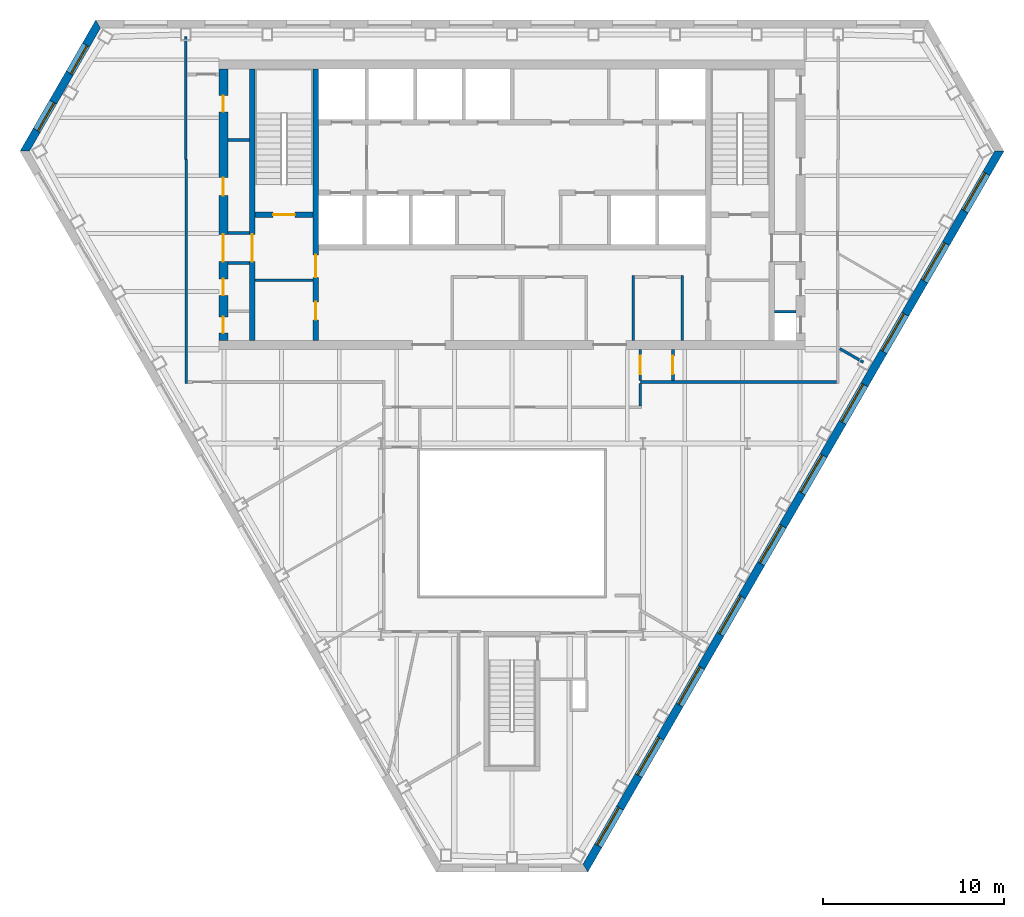
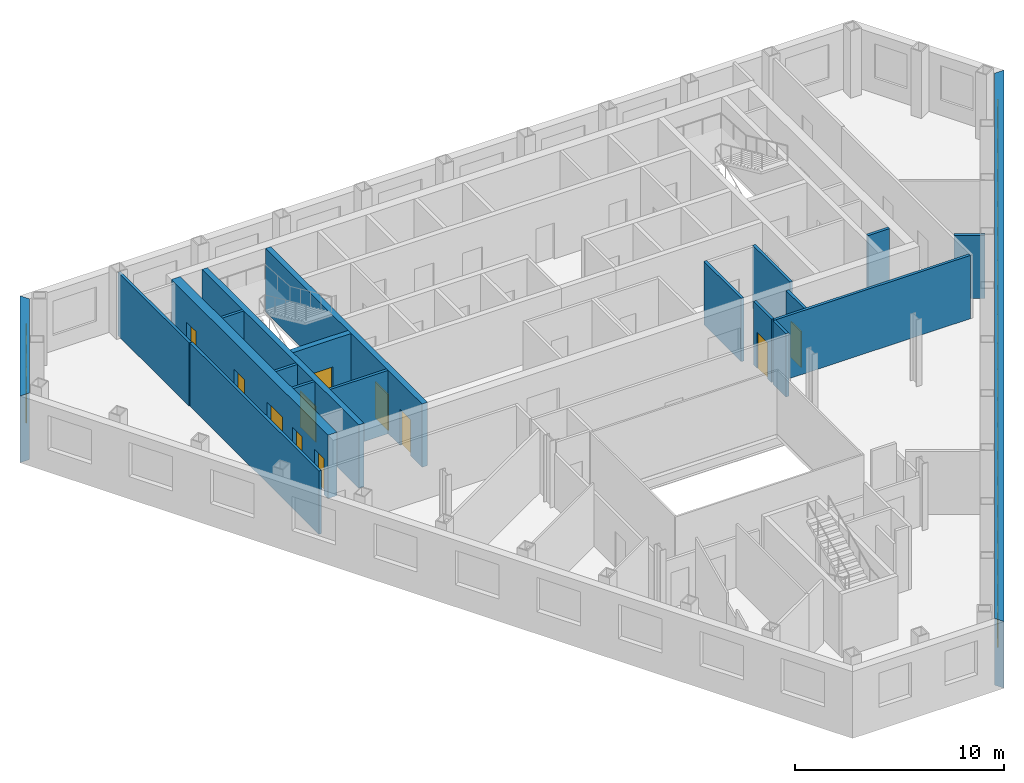
# One storey, part 5 of 10: 20 walls, 12 windows, 11 doors, 23 openings.
"""IFC4 building model written with IfcOpenShell, lengths in metres."""

from ifc_helpers import new_model, si_unit, direction, frame, frame_2d, origin, place, context, subcontext, project, spatial, polyline, rectangle, outline, extrude, material, layer, layer_set, type_object, element, fill, save


model = new_model("IFC4")

# Units and contexts
model_context = context("Model", 3, precision=1e-05, world=origin(), true_north=direction((0.0, 1.0)))
body_context = subcontext(model_context, "Body", "Model", "MODEL_VIEW")
ifc_project = project(units=[si_unit("LENGTHUNIT", "METRE"), si_unit("AREAUNIT", "SQUARE_METRE"), si_unit("VOLUMEUNIT", "CUBIC_METRE"), si_unit("PLANEANGLEUNIT", "RADIAN"), si_unit("MASSUNIT", "GRAM", prefix="KILO")], contexts=[model_context])

# Site, building, storey
site_placement = place(None, origin())
site = spatial("IfcSite", under=ifc_project, at=site_placement, CompositionType="ELEMENT")
building_placement = place(site_placement, origin())
building = spatial("IfcBuilding", under=site, at=building_placement, Name="Njiva Tower", CompositionType="ELEMENT")
storey_placement = place(building_placement, frame((0.0, 0.0, 167.1)))
storey = spatial("IfcBuildingStorey", under=building, at=storey_placement, Name="L36", CompositionType="ELEMENT", Elevation=167.1)

# Walls
ifc_material_1 = material(Name="Blockwork", Category="masonry")
ifc_layer_1 = layer(ifc_material_1, 0.15)
ifc_layer_set_1 = layer_set([ifc_layer_1], Name="Blockwork")
wall_type_1 = type_object("IfcWallType", Name="WT1 Compartment partition 150", PredefinedType="PARTITIONING", material=ifc_layer_set_1)
wall_1_placement = place(storey_placement, frame((-14.2, 5.825, 0.0), z_axis=(0.0, 0.0, 1.0), x_axis=(1.0, 0.0, 0.0)))
element("IfcWall", 1, at=wall_1_placement, inside=storey, type_object=wall_type_1, Name="Room wall A", PredefinedType="PARTITIONING", context=body_context, shape_type="SweptSolid", body=[
    extrude(rectangle(XDim=3.2, YDim=0.15, at=frame_2d((1.6, 0.0))), origin(), (0.0, 0.0, 1.0), 3.7),
])
for number, where, z_axis, x_axis, name in (
    (2, (6.7, 2.5, 0.0), (0.0, 0.0, 1.0), (0.0, 1.0, 0.0), "Security office wall west"),
    (3, (9.4, 2.5, 0.0), (0.0, 0.0, 1.0), (0.0, 1.0, 0.0), "Security office wall east"),
):
    element("IfcWall", number, at=place(storey_placement, frame(where, z_axis=z_axis, x_axis=x_axis)), inside=storey, type_object=wall_type_1, Name=name, PredefinedType="PARTITIONING", context=body_context, shape_type="SweptSolid", body=[
        extrude(rectangle(XDim=3.575, YDim=0.15, at=frame_2d((1.7875, 0.0))), origin(), (0.0, 0.0, 1.0), 3.7),
    ])

# Wall, openings, doors
ifc_material_2 = material(Name="Concrete C40/50", Category="concrete")
ifc_layer_2 = layer(ifc_material_2, 0.3)
ifc_layer_set_2 = layer_set([ifc_layer_2], Name="Concrete C40/50")
wall_type_2 = type_object("IfcWallType", Name="WT10 Stair enclosure wall 300", PredefinedType="SHEAR", material=ifc_layer_set_2)
wall_2_placement = place(storey_placement, frame((-10.85, 2.5, 0.0), z_axis=(0.0, 0.0, 1.0), x_axis=(0.0, 1.0, 0.0)))
wall_2 = element("IfcWall", 4, at=wall_2_placement, inside=storey, type_object=wall_type_2, Name="Stair wall west inner", PredefinedType="SHEAR", context=body_context, shape_type="SweptSolid", body=[
    extrude(rectangle(XDim=15.0, YDim=0.3, at=frame_2d((7.5, 0.0))), origin(), (0.0, 0.0, 1.0), 3.7),
])
opening_1_placement = place(wall_2_placement, frame((3.475, 0.0, 0.0)))
opening_1 = element("IfcOpeningElement", 5, at=opening_1_placement, cuts=wall_2, Name="Opening S12-D915", PredefinedType="OPENING", context=body_context, shape_type="SweptSolid", body=[
    extrude(rectangle(XDim=1.25, YDim=2.1, at=frame_2d((0.625, 1.05))), frame((0.0, 0.16, 0.0), z_axis=(0.0, -1.0, 0.0), x_axis=(1.0, 0.0, 0.0)), (0.0, 0.0, 1.0), 0.32),
])
opening_2_placement = place(wall_2_placement, frame((1.125, 0.0, 0.0)))
opening_2 = element("IfcOpeningElement", 6, at=opening_2_placement, cuts=wall_2, Name="Opening S12-D916", PredefinedType="OPENING", context=body_context, shape_type="SweptSolid", body=[
    extrude(rectangle(XDim=1.0, YDim=2.1, at=frame_2d((0.5, 1.05))), frame((0.0, 0.16, 0.0), z_axis=(0.0, -1.0, 0.0), x_axis=(1.0, 0.0, 0.0)), (0.0, 0.0, 1.0), 0.32),
])
ifc_material_3 = material(Name="Steel door, painted", Category="steel")
door_type_1 = type_object("IfcDoorType", Name="D5 Steel door 1000x2100", OperationType="SINGLE_SWING_LEFT", PredefinedType="DOOR", material=ifc_material_3)
door_1_placement = place(opening_2_placement, origin())
door_1 = element("IfcDoor", 7, at=door_1_placement, inside=storey, type_object=door_type_1, Name="Prayer room door", OperationType="SINGLE_SWING_RIGHT", OverallHeight=2.1, OverallWidth=1.0, PredefinedType="DOOR", context=body_context, shape_type="SweptSolid", body=[
    extrude(rectangle(XDim=1.0, YDim=2.1, at=frame_2d((0.5, 1.05))), frame((0.0, 0.025, 0.0), z_axis=(0.0, -1.0, 0.0), x_axis=(1.0, 0.0, 0.0)), (0.0, 0.0, 1.0), 0.05),
])
fill(opening_2, door_1)
ifc_material_4 = material(Name="Glazed steel fire door", Category="steel")
door_type_2 = type_object("IfcDoorType", Name="D8 Vestibule corridor door 1250x2100 glazed", OperationType="SINGLE_SWING_LEFT", PredefinedType="DOOR", material=ifc_material_4)
door_2_placement = place(opening_1_placement, origin())
door_2 = element("IfcDoor", 8, at=door_2_placement, inside=storey, type_object=door_type_2, Name="Stair vestibule corridor door", OperationType="SINGLE_SWING_LEFT", OverallHeight=2.1, OverallWidth=1.25, PredefinedType="DOOR", context=body_context, shape_type="SweptSolid", body=[
    extrude(rectangle(XDim=1.25, YDim=2.1, at=frame_2d((0.625, 1.05))), frame((0.0, 0.025, 0.0), z_axis=(0.0, -1.0, 0.0), x_axis=(1.0, 0.0, 0.0)), (0.0, 0.0, 1.0), 0.05),
])
fill(opening_1, door_2)

# Wall, opening, door
wall_3_placement = place(storey_placement, frame((-14.35, 2.5, 0.0), z_axis=(0.0, 0.0, 1.0), x_axis=(0.0, 1.0, 0.0)))
wall_3 = element("IfcWall", 9, at=wall_3_placement, inside=storey, type_object=wall_type_2, Name="Stair wall west outer", PredefinedType="SHEAR", context=body_context, shape_type="SweptSolid", body=[
    extrude(rectangle(XDim=15.0, YDim=0.3, at=frame_2d((7.5, 0.0))), origin(), (0.0, 0.0, 1.0), 3.7),
])
opening_3_placement = place(wall_3_placement, frame((4.35, 0.0, 0.0)))
opening_3 = element("IfcOpeningElement", 10, at=opening_3_placement, cuts=wall_3, Name="Opening S12-D921", PredefinedType="OPENING", context=body_context, shape_type="SweptSolid", body=[
    extrude(rectangle(XDim=1.5, YDim=2.1, at=frame_2d((0.75, 1.05))), frame((0.0, 0.16, 0.0), z_axis=(0.0, -1.0, 0.0), x_axis=(1.0, 0.0, 0.0)), (0.0, 0.0, 1.0), 0.32),
])
door_type_3 = type_object("IfcDoorType", Name="D10 Exit door double 1500x2100 glazed", OperationType="DOUBLE_DOOR_SINGLE_SWING", PredefinedType="DOOR", material=ifc_material_4)
door_3_placement = place(opening_3_placement, origin())
door_3 = element("IfcDoor", 11, at=door_3_placement, inside=storey, type_object=door_type_3, Name="Stair A passage door", OperationType="DOUBLE_DOOR_SINGLE_SWING", OverallHeight=2.1, OverallWidth=1.5, PredefinedType="DOOR", context=body_context, shape_type="SweptSolid", body=[
    extrude(rectangle(XDim=1.5, YDim=2.1, at=frame_2d((0.75, 1.05))), frame((0.0, 0.025, 0.0), z_axis=(0.0, -1.0, 0.0), x_axis=(1.0, 0.0, 0.0)), (0.0, 0.0, 1.0), 0.05),
])
fill(opening_3, door_3)

wall_4_placement = place(storey_placement, frame((-14.2, 9.45, 0.0), z_axis=(0.0, 0.0, 1.0), x_axis=(1.0, 0.0, 0.0)))
wall_4 = element("IfcWall", 12, at=wall_4_placement, inside=storey, type_object=wall_type_2, Name="Stair A south wall", PredefinedType="SHEAR", context=body_context, shape_type="SweptSolid", body=[
    extrude(rectangle(XDim=3.2, YDim=0.3, at=frame_2d((1.6, 0.0))), origin(), (0.0, 0.0, 1.0), 3.7),
])
opening_4_placement = place(wall_4_placement, frame((1.0, 0.0, 0.0)))
opening_4 = element("IfcOpeningElement", 13, at=opening_4_placement, cuts=wall_4, Name="Opening S12-D914", PredefinedType="OPENING", context=body_context, shape_type="SweptSolid", body=[
    extrude(rectangle(XDim=1.2, YDim=2.1, at=frame_2d((0.6, 1.05))), frame((0.0, 0.16, 0.0), z_axis=(0.0, -1.0, 0.0), x_axis=(1.0, 0.0, 0.0)), (0.0, 0.0, 1.0), 0.32),
])
door_type_4 = type_object("IfcDoorType", Name="D7 Stair vestibule door 1200x2100 glazed", OperationType="SINGLE_SWING_LEFT", PredefinedType="DOOR", material=ifc_material_4)
door_4_placement = place(opening_4_placement, origin())
door_4 = element("IfcDoor", 14, at=door_4_placement, inside=storey, type_object=door_type_4, Name="Stair A door", OperationType="SINGLE_SWING_LEFT", OverallHeight=2.1, OverallWidth=1.2, PredefinedType="DOOR", context=body_context, shape_type="SweptSolid", body=[
    extrude(rectangle(XDim=1.2, YDim=2.1, at=frame_2d((0.6, 1.05))), frame((0.0, 0.025, 0.0), z_axis=(0.0, -1.0, 0.0), x_axis=(1.0, 0.0, 0.0)), (0.0, 0.0, 1.0), 0.05),
])
fill(opening_4, door_4)

# Wall, openings, doors
ifc_material_5 = material(Name="Concrete C60/75", Category="concrete")
ifc_layer_3 = layer(ifc_material_5, 0.5)
ifc_layer_set_3 = layer_set([ifc_layer_3], Name="Concrete C60/75")
wall_type_3 = type_object("IfcWallType", Name="WT13 Core wall 500", PredefinedType="SHEAR", material=ifc_layer_set_3)
wall_5_placement = place(storey_placement, frame((-15.95, 2.5, 0.0), z_axis=(0.0, 0.0, 1.0), x_axis=(0.0, 1.0, 0.0)))
wall_5 = element("IfcWall", 15, at=wall_5_placement, inside=storey, type_object=wall_type_3, Name="Core wall west", PredefinedType="SHEAR", context=body_context, shape_type="SweptSolid", body=[
    extrude(rectangle(XDim=15.0, YDim=0.5, at=frame_2d((7.5, 0.0))), origin(), (0.0, 0.0, 1.0), 3.7),
])
opening_5_placement = place(wall_5_placement, frame((4.35, 0.0, 0.0)))
opening_5 = element("IfcOpeningElement", 16, at=opening_5_placement, cuts=wall_5, Name="Opening S12-D922", PredefinedType="OPENING", context=body_context, shape_type="SweptSolid", body=[
    extrude(rectangle(XDim=1.5, YDim=2.1, at=frame_2d((0.75, 1.05))), frame((0.0, 0.26, 0.0), z_axis=(0.0, -1.0, 0.0), x_axis=(1.0, 0.0, 0.0)), (0.0, 0.0, 1.0), 0.52),
])
opening_6_placement = place(wall_5_placement, frame((0.4, 0.0, 0.0)))
opening_6 = element("IfcOpeningElement", 17, at=opening_6_placement, cuts=wall_5, Name="Opening S12-D923", PredefinedType="OPENING", context=body_context, shape_type="SweptSolid", body=[
    extrude(rectangle(XDim=0.9, YDim=2.1, at=frame_2d((0.45, 1.05))), frame((0.0, 0.26, 0.0), z_axis=(0.0, -1.0, 0.0), x_axis=(1.0, 0.0, 0.0)), (0.0, 0.0, 1.0), 0.52),
])
opening_7_placement = place(wall_5_placement, frame((2.491, 0.0, 0.0)))
opening_7 = element("IfcOpeningElement", 18, at=opening_7_placement, cuts=wall_5, Name="Opening S12-D924", PredefinedType="OPENING", context=body_context, shape_type="SweptSolid", body=[
    extrude(rectangle(XDim=0.9, YDim=2.1, at=frame_2d((0.45, 1.05))), frame((0.0, 0.26, 0.0), z_axis=(0.0, -1.0, 0.0), x_axis=(1.0, 0.0, 0.0)), (0.0, 0.0, 1.0), 0.52),
])
opening_8_placement = place(wall_5_placement, frame((7.9962, 0.0, 0.0)))
opening_8 = element("IfcOpeningElement", 19, at=opening_8_placement, cuts=wall_5, Name="Opening S12-D925", PredefinedType="OPENING", context=body_context, shape_type="SweptSolid", body=[
    extrude(rectangle(XDim=1.0, YDim=2.1, at=frame_2d((0.5, 1.05))), frame((0.0, 0.26, 0.0), z_axis=(0.0, -1.0, 0.0), x_axis=(1.0, 0.0, 0.0)), (0.0, 0.0, 1.0), 0.52),
])
opening_9_placement = place(wall_5_placement, frame((12.6212, 0.0, 0.0)))
opening_9 = element("IfcOpeningElement", 20, at=opening_9_placement, cuts=wall_5, Name="Opening S12-D926", PredefinedType="OPENING", context=body_context, shape_type="SweptSolid", body=[
    extrude(rectangle(XDim=0.9, YDim=2.1, at=frame_2d((0.45, 1.05))), frame((0.0, 0.26, 0.0), z_axis=(0.0, -1.0, 0.0), x_axis=(1.0, 0.0, 0.0)), (0.0, 0.0, 1.0), 0.52),
])
door_5_placement = place(opening_5_placement, origin())
door_5 = element("IfcDoor", 21, at=door_5_placement, inside=storey, type_object=door_type_3, Name="Stair A corridor door", OperationType="DOUBLE_DOOR_SINGLE_SWING", OverallHeight=2.1, OverallWidth=1.5, PredefinedType="DOOR", context=body_context, shape_type="SweptSolid", body=[
    extrude(rectangle(XDim=1.5, YDim=2.1, at=frame_2d((0.75, 1.05))), frame((0.0, 0.025, 0.0), z_axis=(0.0, -1.0, 0.0), x_axis=(1.0, 0.0, 0.0)), (0.0, 0.0, 1.0), 0.05),
])
fill(opening_5, door_5)
door_type_5 = type_object("IfcDoorType", Name="D4 Riser door 900x2100", OperationType="SINGLE_SWING_LEFT", PredefinedType="DOOR", material=ifc_material_3)
door_6_placement = place(opening_9_placement, origin())
door_6 = element("IfcDoor", 22, at=door_6_placement, inside=storey, type_object=door_type_5, Name="Cable riser door", OperationType="SINGLE_SWING_LEFT", OverallHeight=2.1, OverallWidth=0.9, PredefinedType="DOOR", context=body_context, shape_type="SweptSolid", body=[
    extrude(rectangle(XDim=0.9, YDim=2.1, at=frame_2d((0.45, 1.05))), frame((0.0, 0.025, 0.0), z_axis=(0.0, -1.0, 0.0), x_axis=(1.0, 0.0, 0.0)), (0.0, 0.0, 1.0), 0.05),
])
fill(opening_9, door_6)
door_7_placement = place(opening_8_placement, origin())
door_7 = element("IfcDoor", 23, at=door_7_placement, inside=storey, type_object=door_type_1, Name="Electrical room door", OperationType="SINGLE_SWING_LEFT", OverallHeight=2.1, OverallWidth=1.0, PredefinedType="DOOR", context=body_context, shape_type="SweptSolid", body=[
    extrude(rectangle(XDim=1.0, YDim=2.1, at=frame_2d((0.5, 1.05))), frame((0.0, 0.025, 0.0), z_axis=(0.0, -1.0, 0.0), x_axis=(1.0, 0.0, 0.0)), (0.0, 0.0, 1.0), 0.05),
])
fill(opening_8, door_7)
ifc_material_6 = material(Name="Steel fire door, painted", Category="steel")
door_type_6 = type_object("IfcDoorType", Name="D6 Fire-rated door 900x2100", OperationType="SINGLE_SWING_LEFT", PredefinedType="DOOR", material=ifc_material_6)
door_8_placement = place(opening_6_placement, origin())
door_8 = element("IfcDoor", 24, at=door_8_placement, inside=storey, type_object=door_type_6, Name="Cable store door", OperationType="SINGLE_SWING_RIGHT", OverallHeight=2.1, OverallWidth=0.9, PredefinedType="DOOR", context=body_context, shape_type="SweptSolid", body=[
    extrude(rectangle(XDim=0.9, YDim=2.1, at=frame_2d((0.45, 1.05))), frame((0.0, 0.025, 0.0), z_axis=(0.0, -1.0, 0.0), x_axis=(1.0, 0.0, 0.0)), (0.0, 0.0, 1.0), 0.05),
])
fill(opening_6, door_8)
door_9_placement = place(opening_7_placement, origin())
door_9 = element("IfcDoor", 25, at=door_9_placement, inside=storey, type_object=door_type_6, Name="Cable store door", OperationType="SINGLE_SWING_RIGHT", OverallHeight=2.1, OverallWidth=0.9, PredefinedType="DOOR", context=body_context, shape_type="SweptSolid", body=[
    extrude(rectangle(XDim=0.9, YDim=2.1, at=frame_2d((0.45, 1.05))), frame((0.0, 0.025, 0.0), z_axis=(0.0, -1.0, 0.0), x_axis=(1.0, 0.0, 0.0)), (0.0, 0.0, 1.0), 0.05),
])
fill(opening_7, door_9)

# Walls
ifc_material_7 = material(Name="Gypsum board on steel studs", Category="gypsum")
ifc_layer_4 = layer(ifc_material_7, 0.15)
ifc_layer_set_4 = layer_set([ifc_layer_4], Name="Gypsum board on steel studs")
wall_type_4 = type_object("IfcWallType", Name="WT21 Compartment wall 150", PredefinedType="PARTITIONING", material=ifc_layer_set_4)
wall_6_placement = place(storey_placement, frame((-18.031, 12.498, 0.0), z_axis=(0.0, 0.0, 1.0), x_axis=(0.0, 1.0, 0.0)))
element("IfcWall", 26, at=wall_6_placement, inside=storey, type_object=wall_type_4, Name="Partition S12-P001", PredefinedType="PARTITIONING", context=body_context, shape_type="SweptSolid", body=[
    extrude(rectangle(XDim=6.802, YDim=0.15, at=frame_2d((3.401, 0.0))), origin(), (0.0, 0.0, 1.0), 3.7),
])
wall_7_placement = place(storey_placement, frame((-18.0, 0.125, 0.0), z_axis=(0.0, 0.0, 1.0), x_axis=(0.0, 1.0, 0.0)))
element("IfcWall", 27, at=wall_7_placement, inside=storey, type_object=wall_type_4, Name="Partition S12-P002", PredefinedType="PARTITIONING", context=body_context, shape_type="SweptSolid", body=[
    extrude(rectangle(XDim=12.355, YDim=0.15, at=frame_2d((6.1775, 0.0))), origin(), (0.0, 0.0, 1.0), 3.7),
])
wall_8_placement = place(storey_placement, frame((7.09, -1.125, 0.0), z_axis=(0.0, 0.0, 1.0), x_axis=(0.0, 1.0, 0.0)))
element("IfcWall", 28, at=wall_8_placement, inside=storey, type_object=wall_type_4, Name="Partition S12-P022", PredefinedType="PARTITIONING", context=body_context, shape_type="SweptSolid", body=[
    extrude(rectangle(XDim=1.25, YDim=0.15, at=frame_2d((0.625, 0.0))), origin(), (0.0, 0.0, 1.0), 3.7),
])
wall_9_placement = place(storey_placement, frame((7.09, 0.2, 0.0), z_axis=(0.0, 0.0, 1.0), x_axis=(1.0, 0.0, 0.0)))
element("IfcWall", 29, at=wall_9_placement, inside=storey, type_object=wall_type_4, Name="Partition S12-P023", PredefinedType="PARTITIONING", context=body_context, shape_type="SweptSolid", body=[
    extrude(rectangle(XDim=10.835, YDim=0.15, at=frame_2d((5.4175, 0.0))), origin(), (0.0, 0.0, 1.0), 3.7),
])

# Wall, opening, door
wall_10_placement = place(storey_placement, frame((7.09, 0.275, 0.0), z_axis=(0.0, 0.0, 1.0), x_axis=(0.0, 1.0, 0.0)))
wall_10 = element("IfcWall", 30, at=wall_10_placement, inside=storey, type_object=wall_type_4, Name="Partition S12-P024", PredefinedType="PARTITIONING", context=body_context, shape_type="SweptSolid", body=[
    extrude(rectangle(XDim=1.725, YDim=0.15, at=frame_2d((0.8625, 0.0))), origin(), (0.0, 0.0, 1.0), 3.7),
])
opening_10_placement = place(wall_10_placement, frame((0.362, 0.0, 0.0)))
opening_10 = element("IfcOpeningElement", 31, at=opening_10_placement, cuts=wall_10, Name="Opening S12-D012", PredefinedType="OPENING", context=body_context, shape_type="SweptSolid", body=[
    extrude(rectangle(XDim=1.0, YDim=2.1, at=frame_2d((0.5, 1.05))), frame((0.0, 0.085, 0.0), z_axis=(0.0, -1.0, 0.0), x_axis=(1.0, 0.0, 0.0)), (0.0, 0.0, 1.0), 0.17),
])
ifc_material_8 = material(Name="Steel fire door set", Category="steel")
door_type_7 = type_object("IfcDoorType", Name="D37 Fire door 1000x2100", OperationType="SINGLE_SWING_LEFT", PredefinedType="DOOR", material=ifc_material_8)
door_10_placement = place(opening_10_placement, origin())
door_10 = element("IfcDoor", 32, at=door_10_placement, inside=storey, type_object=door_type_7, Name="Door S12-D012", OperationType="SINGLE_SWING_LEFT", OverallHeight=2.1, OverallWidth=1.0, PredefinedType="DOOR", context=body_context, shape_type="SweptSolid", body=[
    extrude(rectangle(XDim=1.0, YDim=2.1, at=frame_2d((0.5, 1.05))), frame((0.0, 0.025, 0.0), z_axis=(0.0, -1.0, 0.0), x_axis=(1.0, 0.0, 0.0)), (0.0, 0.0, 1.0), 0.05),
])
fill(opening_10, door_10)

wall_11_placement = place(storey_placement, frame((8.89, 0.275, 0.0), z_axis=(0.0, 0.0, 1.0), x_axis=(0.0, 1.0, 0.0)))
wall_11 = element("IfcWall", 33, at=wall_11_placement, inside=storey, type_object=wall_type_4, Name="Partition S12-P026", PredefinedType="PARTITIONING", context=body_context, shape_type="SweptSolid", body=[
    extrude(rectangle(XDim=1.725, YDim=0.15, at=frame_2d((0.8625, 0.0))), origin(), (0.0, 0.0, 1.0), 3.7),
])
opening_11_placement = place(wall_11_placement, frame((0.363, 0.0, 0.0)))
opening_11 = element("IfcOpeningElement", 34, at=opening_11_placement, cuts=wall_11, Name="Opening S12-D013", PredefinedType="OPENING", context=body_context, shape_type="SweptSolid", body=[
    extrude(rectangle(XDim=1.0, YDim=2.1, at=frame_2d((0.5, 1.05))), frame((0.0, 0.085, 0.0), z_axis=(0.0, -1.0, 0.0), x_axis=(1.0, 0.0, 0.0)), (0.0, 0.0, 1.0), 0.17),
])
door_11_placement = place(opening_11_placement, origin())
door_11 = element("IfcDoor", 35, at=door_11_placement, inside=storey, type_object=door_type_7, Name="Door S12-D013", OperationType="SINGLE_SWING_RIGHT", OverallHeight=2.1, OverallWidth=1.0, PredefinedType="DOOR", context=body_context, shape_type="SweptSolid", body=[
    extrude(rectangle(XDim=1.0, YDim=2.1, at=frame_2d((0.5, 1.05))), frame((0.0, 0.025, 0.0), z_axis=(0.0, -1.0, 0.0), x_axis=(1.0, 0.0, 0.0)), (0.0, 0.0, 1.0), 0.05),
])
fill(opening_11, door_11)

# Walls
wall_12_placement = place(storey_placement, frame((18.113, 2.041, 0.0), z_axis=(0.0, 0.0, 1.0), x_axis=(0.865897129857, -0.500222111171, 0.0)))
element("IfcWall", 36, at=wall_12_placement, inside=storey, type_object=wall_type_4, Name="Partition S12-P031", PredefinedType="PARTITIONING", context=body_context, shape_type="SweptSolid", body=[
    extrude(rectangle(XDim=1.5013, YDim=0.15, at=frame_2d((0.7506, 0.0))), origin(), (0.0, 0.0, 1.0), 3.7),
])
ifc_layer_5 = layer(ifc_material_1, 0.15)
ifc_layer_set_5 = layer_set([ifc_layer_5], Name="Blockwork")
wall_type_5 = type_object("IfcWallType", Name="WT3 Riser partition 150", PredefinedType="PARTITIONING", material=ifc_layer_set_5)
for number, where, z_axis, x_axis, name in (
    (37, (-15.7, 13.5673, 0.0), (0.0, 0.0, 1.0), (1.0, 0.0, 0.0), "Partition strip W10"),
    (38, (14.5, 4.075, 0.0), (0.0, 0.0, 1.0), (1.0, 0.0, 0.0), "Partition strip E00"),
):
    element("IfcWall", number, at=place(storey_placement, frame(where, z_axis=z_axis, x_axis=x_axis)), inside=storey, type_object=wall_type_5, Name=name, PredefinedType="PARTITIONING", context=body_context, shape_type="SweptSolid", body=[
        extrude(rectangle(XDim=1.2, YDim=0.15, at=frame_2d((0.6, 0.0))), origin(), (0.0, 0.0, 1.0), 3.7),
    ])
ifc_layer_6 = layer(ifc_material_1, 0.15)
ifc_layer_set_6 = layer_set([ifc_layer_6], Name="Blockwork")
wall_type_6 = type_object("IfcWallType", Name="WT4 Stair partition 150", PredefinedType="PARTITIONING", material=ifc_layer_set_6)
for number, where, z_axis, x_axis, name in (
    (39, (-15.7, 6.775, 0.0), (0.0, 0.0, 1.0), (1.0, 0.0, 0.0), "Stair A exit passage wall south"),
    (40, (-15.7, 8.425, 0.0), (0.0, 0.0, 1.0), (1.0, 0.0, 0.0), "Stair A exit passage wall north"),
):
    element("IfcWall", number, at=place(storey_placement, frame(where, z_axis=z_axis, x_axis=x_axis)), inside=storey, type_object=wall_type_6, Name=name, PredefinedType="PARTITIONING", context=body_context, shape_type="SweptSolid", body=[
        extrude(rectangle(XDim=1.2, YDim=0.15, at=frame_2d((0.6, 0.0))), origin(), (0.0, 0.0, 1.0), 3.7),
    ])

# Wall, openings, windows
ifc_material_9 = material(Name="Brick masonry", Category="masonry")
ifc_layer_7 = layer(ifc_material_9, 0.45)
ifc_layer_set_7 = layer_set([ifc_layer_7], Name="Brick masonry")
wall_type_7 = type_object("IfcWallType", Name="WT90 Brick pier and spandrel wall 450", PredefinedType="SOLIDWALL", material=ifc_layer_set_7)
wall_13_placement = place(storey_placement, frame((4.0551, -26.6608, -0.4), z_axis=(0.0, 0.0, 1.0), x_axis=(0.499999764979, 0.866025539474, 0.0)))
wall_13 = element("IfcWall", 41, at=wall_13_placement, inside=storey, type_object=wall_type_7, Name="Facade wall SE", PredefinedType="SOLIDWALL", context=body_context, shape_type="SweptSolid", body=[
    extrude(outline(polyline([(-0.1299, -0.225), (45.8701, -0.225), (45.6103, 0.225), (0.1299, 0.225), (-0.1299, -0.225)])), origin(), (0.0, 0.0, 1.0), 3.9),
])
opening_12_placement = place(wall_13_placement, frame((1.4242, 0.0, 1.3)))
opening_12 = element("IfcOpeningElement", 42, at=opening_12_placement, cuts=wall_13, Name="Opening S12-W24", PredefinedType="OPENING", context=body_context, shape_type="SweptSolid", body=[
    extrude(rectangle(XDim=2.4, YDim=2.0, at=frame_2d((1.2, 1.0))), frame((0.0, 0.235, 0.0), z_axis=(0.0, -1.0, 0.0), x_axis=(1.0, 0.0, 0.0)), (0.0, 0.0, 1.0), 0.47),
])
opening_13_placement = place(wall_13_placement, frame((5.8934, 0.0, 1.3)))
opening_13 = element("IfcOpeningElement", 43, at=opening_13_placement, cuts=wall_13, Name="Opening S12-W25", PredefinedType="OPENING", context=body_context, shape_type="SweptSolid", body=[
    extrude(rectangle(XDim=2.4, YDim=2.0, at=frame_2d((1.2, 1.0))), frame((0.0, 0.235, 0.0), z_axis=(0.0, -1.0, 0.0), x_axis=(1.0, 0.0, 0.0)), (0.0, 0.0, 1.0), 0.47),
])
opening_14_placement = place(wall_13_placement, frame((10.401, 0.0, 1.3)))
opening_14 = element("IfcOpeningElement", 44, at=opening_14_placement, cuts=wall_13, Name="Opening S12-W26", PredefinedType="OPENING", context=body_context, shape_type="SweptSolid", body=[
    extrude(rectangle(XDim=2.4, YDim=2.0, at=frame_2d((1.2, 1.0))), frame((0.0, 0.235, 0.0), z_axis=(0.0, -1.0, 0.0), x_axis=(1.0, 0.0, 0.0)), (0.0, 0.0, 1.0), 0.47),
])
opening_15_placement = place(wall_13_placement, frame((14.9087, 0.0, 1.3)))
opening_15 = element("IfcOpeningElement", 45, at=opening_15_placement, cuts=wall_13, Name="Opening S12-W27", PredefinedType="OPENING", context=body_context, shape_type="SweptSolid", body=[
    extrude(rectangle(XDim=2.4, YDim=2.0, at=frame_2d((1.2, 1.0))), frame((0.0, 0.235, 0.0), z_axis=(0.0, -1.0, 0.0), x_axis=(1.0, 0.0, 0.0)), (0.0, 0.0, 1.0), 0.47),
])
opening_16_placement = place(wall_13_placement, frame((19.4163, 0.0, 1.3)))
opening_16 = element("IfcOpeningElement", 46, at=opening_16_placement, cuts=wall_13, Name="Opening S12-W28", PredefinedType="OPENING", context=body_context, shape_type="SweptSolid", body=[
    extrude(rectangle(XDim=2.4, YDim=2.0, at=frame_2d((1.2, 1.0))), frame((0.0, 0.235, 0.0), z_axis=(0.0, -1.0, 0.0), x_axis=(1.0, 0.0, 0.0)), (0.0, 0.0, 1.0), 0.47),
])
opening_17_placement = place(wall_13_placement, frame((23.9239, 0.0, 1.3)))
opening_17 = element("IfcOpeningElement", 47, at=opening_17_placement, cuts=wall_13, Name="Opening S12-W29", PredefinedType="OPENING", context=body_context, shape_type="SweptSolid", body=[
    extrude(rectangle(XDim=2.4, YDim=2.0, at=frame_2d((1.2, 1.0))), frame((0.0, 0.235, 0.0), z_axis=(0.0, -1.0, 0.0), x_axis=(1.0, 0.0, 0.0)), (0.0, 0.0, 1.0), 0.47),
])
opening_18_placement = place(wall_13_placement, frame((28.4315, 0.0, 1.3)))
opening_18 = element("IfcOpeningElement", 48, at=opening_18_placement, cuts=wall_13, Name="Opening S12-W30", PredefinedType="OPENING", context=body_context, shape_type="SweptSolid", body=[
    extrude(rectangle(XDim=2.4, YDim=2.0, at=frame_2d((1.2, 1.0))), frame((0.0, 0.235, 0.0), z_axis=(0.0, -1.0, 0.0), x_axis=(1.0, 0.0, 0.0)), (0.0, 0.0, 1.0), 0.47),
])
opening_19_placement = place(wall_13_placement, frame((32.9391, 0.0, 1.3)))
opening_19 = element("IfcOpeningElement", 49, at=opening_19_placement, cuts=wall_13, Name="Opening S12-W31", PredefinedType="OPENING", context=body_context, shape_type="SweptSolid", body=[
    extrude(rectangle(XDim=2.4, YDim=2.0, at=frame_2d((1.2, 1.0))), frame((0.0, 0.235, 0.0), z_axis=(0.0, -1.0, 0.0), x_axis=(1.0, 0.0, 0.0)), (0.0, 0.0, 1.0), 0.47),
])
opening_20_placement = place(wall_13_placement, frame((37.4468, 0.0, 1.3)))
opening_20 = element("IfcOpeningElement", 50, at=opening_20_placement, cuts=wall_13, Name="Opening S12-W32", PredefinedType="OPENING", context=body_context, shape_type="SweptSolid", body=[
    extrude(rectangle(XDim=2.4, YDim=2.0, at=frame_2d((1.2, 1.0))), frame((0.0, 0.235, 0.0), z_axis=(0.0, -1.0, 0.0), x_axis=(1.0, 0.0, 0.0)), (0.0, 0.0, 1.0), 0.47),
])
opening_21_placement = place(wall_13_placement, frame((41.916, 0.0, 1.3)))
opening_21 = element("IfcOpeningElement", 51, at=opening_21_placement, cuts=wall_13, Name="Opening S12-W33", PredefinedType="OPENING", context=body_context, shape_type="SweptSolid", body=[
    extrude(rectangle(XDim=2.4, YDim=2.0, at=frame_2d((1.2, 1.0))), frame((0.0, 0.235, 0.0), z_axis=(0.0, -1.0, 0.0), x_axis=(1.0, 0.0, 0.0)), (0.0, 0.0, 1.0), 0.47),
])
ifc_material_10 = material(Name="Clear glazing in aluminium frame", Category="aluminium")
window_type_1 = type_object("IfcWindowType", Name="W90 Deep-set window 2400x2000", PartitioningType="SINGLE_PANEL", PredefinedType="WINDOW", material=ifc_material_10)
window_1_placement = place(opening_12_placement, origin())
window_1 = element("IfcWindow", 52, at=window_1_placement, inside=storey, type_object=window_type_1, Name="Window", OverallHeight=2.0, OverallWidth=2.4, PartitioningType="SINGLE_PANEL", PredefinedType="WINDOW", context=body_context, shape_type="SweptSolid", body=[
    extrude(rectangle(XDim=2.4, YDim=2.0, at=frame_2d((1.2, 1.0))), frame((0.0, 0.105, 0.0), z_axis=(0.0, -1.0, 0.0), x_axis=(1.0, 0.0, 0.0)), (0.0, 0.0, 1.0), 0.06),
])
fill(opening_12, window_1)
window_2_placement = place(opening_13_placement, origin())
window_2 = element("IfcWindow", 53, at=window_2_placement, inside=storey, type_object=window_type_1, Name="Window", OverallHeight=2.0, OverallWidth=2.4, PartitioningType="SINGLE_PANEL", PredefinedType="WINDOW", context=body_context, shape_type="SweptSolid", body=[
    extrude(rectangle(XDim=2.4, YDim=2.0, at=frame_2d((1.2, 1.0))), frame((0.0, 0.105, 0.0), z_axis=(0.0, -1.0, 0.0), x_axis=(1.0, 0.0, 0.0)), (0.0, 0.0, 1.0), 0.06),
])
fill(opening_13, window_2)
window_3_placement = place(opening_14_placement, origin())
window_3 = element("IfcWindow", 54, at=window_3_placement, inside=storey, type_object=window_type_1, Name="Window", OverallHeight=2.0, OverallWidth=2.4, PartitioningType="SINGLE_PANEL", PredefinedType="WINDOW", context=body_context, shape_type="SweptSolid", body=[
    extrude(rectangle(XDim=2.4, YDim=2.0, at=frame_2d((1.2, 1.0))), frame((0.0, 0.105, 0.0), z_axis=(0.0, -1.0, 0.0), x_axis=(1.0, 0.0, 0.0)), (0.0, 0.0, 1.0), 0.06),
])
fill(opening_14, window_3)
window_4_placement = place(opening_15_placement, origin())
window_4 = element("IfcWindow", 55, at=window_4_placement, inside=storey, type_object=window_type_1, Name="Window", OverallHeight=2.0, OverallWidth=2.4, PartitioningType="SINGLE_PANEL", PredefinedType="WINDOW", context=body_context, shape_type="SweptSolid", body=[
    extrude(rectangle(XDim=2.4, YDim=2.0, at=frame_2d((1.2, 1.0))), frame((0.0, 0.105, 0.0), z_axis=(0.0, -1.0, 0.0), x_axis=(1.0, 0.0, 0.0)), (0.0, 0.0, 1.0), 0.06),
])
fill(opening_15, window_4)
window_5_placement = place(opening_16_placement, origin())
window_5 = element("IfcWindow", 56, at=window_5_placement, inside=storey, type_object=window_type_1, Name="Window", OverallHeight=2.0, OverallWidth=2.4, PartitioningType="SINGLE_PANEL", PredefinedType="WINDOW", context=body_context, shape_type="SweptSolid", body=[
    extrude(rectangle(XDim=2.4, YDim=2.0, at=frame_2d((1.2, 1.0))), frame((0.0, 0.105, 0.0), z_axis=(0.0, -1.0, 0.0), x_axis=(1.0, 0.0, 0.0)), (0.0, 0.0, 1.0), 0.06),
])
fill(opening_16, window_5)
window_6_placement = place(opening_17_placement, origin())
window_6 = element("IfcWindow", 57, at=window_6_placement, inside=storey, type_object=window_type_1, Name="Window", OverallHeight=2.0, OverallWidth=2.4, PartitioningType="SINGLE_PANEL", PredefinedType="WINDOW", context=body_context, shape_type="SweptSolid", body=[
    extrude(rectangle(XDim=2.4, YDim=2.0, at=frame_2d((1.2, 1.0))), frame((0.0, 0.105, 0.0), z_axis=(0.0, -1.0, 0.0), x_axis=(1.0, 0.0, 0.0)), (0.0, 0.0, 1.0), 0.06),
])
fill(opening_17, window_6)
window_7_placement = place(opening_18_placement, origin())
window_7 = element("IfcWindow", 58, at=window_7_placement, inside=storey, type_object=window_type_1, Name="Window", OverallHeight=2.0, OverallWidth=2.4, PartitioningType="SINGLE_PANEL", PredefinedType="WINDOW", context=body_context, shape_type="SweptSolid", body=[
    extrude(rectangle(XDim=2.4, YDim=2.0, at=frame_2d((1.2, 1.0))), frame((0.0, 0.105, 0.0), z_axis=(0.0, -1.0, 0.0), x_axis=(1.0, 0.0, 0.0)), (0.0, 0.0, 1.0), 0.06),
])
fill(opening_18, window_7)
window_8_placement = place(opening_19_placement, origin())
window_8 = element("IfcWindow", 59, at=window_8_placement, inside=storey, type_object=window_type_1, Name="Window", OverallHeight=2.0, OverallWidth=2.4, PartitioningType="SINGLE_PANEL", PredefinedType="WINDOW", context=body_context, shape_type="SweptSolid", body=[
    extrude(rectangle(XDim=2.4, YDim=2.0, at=frame_2d((1.2, 1.0))), frame((0.0, 0.105, 0.0), z_axis=(0.0, -1.0, 0.0), x_axis=(1.0, 0.0, 0.0)), (0.0, 0.0, 1.0), 0.06),
])
fill(opening_19, window_8)
window_9_placement = place(opening_20_placement, origin())
window_9 = element("IfcWindow", 60, at=window_9_placement, inside=storey, type_object=window_type_1, Name="Window", OverallHeight=2.0, OverallWidth=2.4, PartitioningType="SINGLE_PANEL", PredefinedType="WINDOW", context=body_context, shape_type="SweptSolid", body=[
    extrude(rectangle(XDim=2.4, YDim=2.0, at=frame_2d((1.2, 1.0))), frame((0.0, 0.105, 0.0), z_axis=(0.0, -1.0, 0.0), x_axis=(1.0, 0.0, 0.0)), (0.0, 0.0, 1.0), 0.06),
])
fill(opening_20, window_9)
window_10_placement = place(opening_21_placement, origin())
window_10 = element("IfcWindow", 61, at=window_10_placement, inside=storey, type_object=window_type_1, Name="Window", OverallHeight=2.0, OverallWidth=2.4, PartitioningType="SINGLE_PANEL", PredefinedType="WINDOW", context=body_context, shape_type="SweptSolid", body=[
    extrude(rectangle(XDim=2.4, YDim=2.0, at=frame_2d((1.2, 1.0))), frame((0.0, 0.105, 0.0), z_axis=(0.0, -1.0, 0.0), x_axis=(1.0, 0.0, 0.0)), (0.0, 0.0, 1.0), 0.06),
])
fill(opening_21, window_10)

ifc_material_11 = material(Name="Brick masonry, buff", Category="masonry")
ifc_layer_8 = layer(ifc_material_11, 0.45)
ifc_layer_set_8 = layer_set([ifc_layer_8], Name="Brick masonry, buff")
wall_type_8 = type_object("IfcWallType", Name="WT94 Brick pier and spandrel wall 450, buff", PredefinedType="SOLIDWALL", material=ifc_layer_set_8)
wall_14_placement = place(storey_placement, frame((-22.8701, 19.975, -0.4), z_axis=(0.0, 0.0, 1.0), x_axis=(-0.500002094529, -0.866024194504, 0.0)))
wall_14 = element("IfcWall", 62, at=wall_14_placement, inside=storey, type_object=wall_type_8, Name="Facade wall NW", PredefinedType="SOLIDWALL", context=body_context, shape_type="SweptSolid", body=[
    extrude(outline(polyline([(-0.1299, -0.225), (8.2401, -0.225), (7.9803, 0.225), (0.1299, 0.225), (-0.1299, -0.225)])), origin(), (0.0, 0.0, 1.0), 3.9),
])
opening_22_placement = place(wall_14_placement, frame((1.3319, 0.0, 1.3)))
opening_22 = element("IfcOpeningElement", 63, at=opening_22_placement, cuts=wall_14, Name="Opening S12-W10", PredefinedType="OPENING", context=body_context, shape_type="SweptSolid", body=[
    extrude(rectangle(XDim=1.8, YDim=2.0, at=frame_2d((0.9, 1.0))), frame((0.0, 0.235, 0.0), z_axis=(0.0, -1.0, 0.0), x_axis=(1.0, 0.0, 0.0)), (0.0, 0.0, 1.0), 0.47),
])
opening_23_placement = place(wall_14_placement, frame((4.9782, 0.0, 1.3)))
opening_23 = element("IfcOpeningElement", 64, at=opening_23_placement, cuts=wall_14, Name="Opening S12-W11", PredefinedType="OPENING", context=body_context, shape_type="SweptSolid", body=[
    extrude(rectangle(XDim=1.8, YDim=2.0, at=frame_2d((0.9, 1.0))), frame((0.0, 0.235, 0.0), z_axis=(0.0, -1.0, 0.0), x_axis=(1.0, 0.0, 0.0)), (0.0, 0.0, 1.0), 0.47),
])
window_type_2 = type_object("IfcWindowType", Name="W94 Deep-set window 1800x2000", PartitioningType="SINGLE_PANEL", PredefinedType="WINDOW", material=ifc_material_10)
window_11_placement = place(opening_22_placement, origin())
window_11 = element("IfcWindow", 65, at=window_11_placement, inside=storey, type_object=window_type_2, Name="Window", OverallHeight=2.0, OverallWidth=1.8, PartitioningType="SINGLE_PANEL", PredefinedType="WINDOW", context=body_context, shape_type="SweptSolid", body=[
    extrude(rectangle(XDim=1.8, YDim=2.0, at=frame_2d((0.9, 1.0))), frame((0.0, 0.105, 0.0), z_axis=(0.0, -1.0, 0.0), x_axis=(1.0, 0.0, 0.0)), (0.0, 0.0, 1.0), 0.06),
])
fill(opening_22, window_11)
window_12_placement = place(opening_23_placement, origin())
window_12 = element("IfcWindow", 66, at=window_12_placement, inside=storey, type_object=window_type_2, Name="Window", OverallHeight=2.0, OverallWidth=1.8, PartitioningType="SINGLE_PANEL", PredefinedType="WINDOW", context=body_context, shape_type="SweptSolid", body=[
    extrude(rectangle(XDim=1.8, YDim=2.0, at=frame_2d((0.9, 1.0))), frame((0.0, 0.105, 0.0), z_axis=(0.0, -1.0, 0.0), x_axis=(1.0, 0.0, 0.0)), (0.0, 0.0, 1.0), 0.06),
])
fill(opening_23, window_12)

save(model, "model.ifc")
